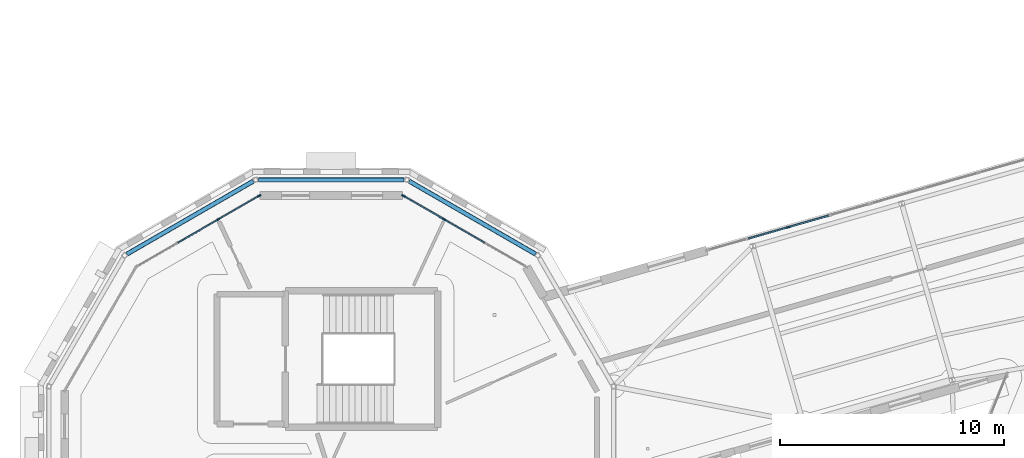
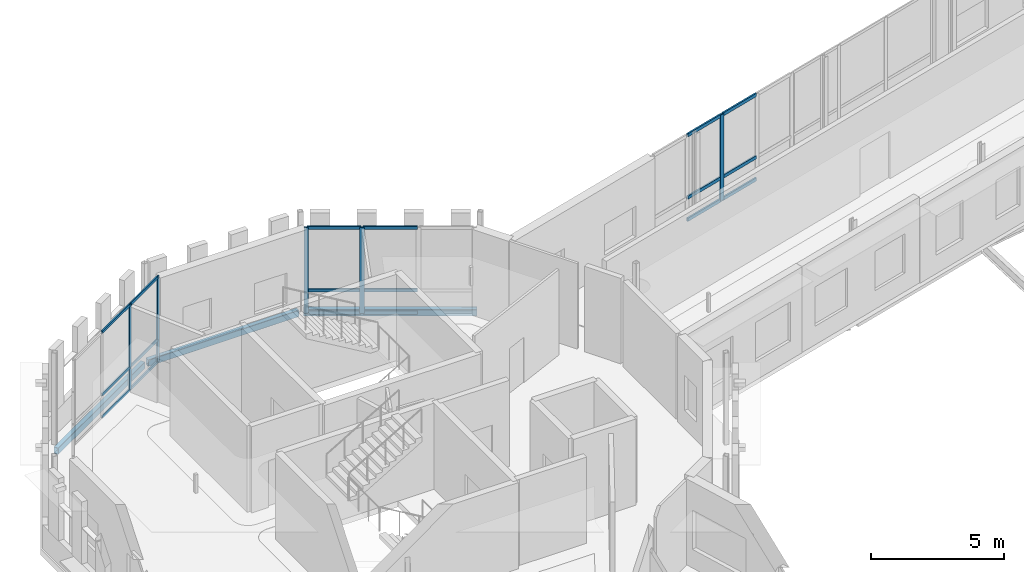
# One storey, part 45 of 125: 23 members, 3 beams, 3 elements without a shape of their own.
"""IFC4 building model written with IfcOpenShell, lengths in metres."""

from ifc_helpers import new_model, si_unit, direction, frame, origin, origin_2d, place, context, subcontext, project, spatial, rectangle, hollow_rectangle, extrude, material, material_profile, profile_set, type_object, element, aggregate, save


model = new_model("IFC4")

# Units and contexts
model_context = context("Model", 3, precision=1e-05, world=origin(), true_north=direction((0.0, 1.0)))
body_context = subcontext(model_context, "Body", "Model", "MODEL_VIEW")
ifc_project = project(units=[si_unit("LENGTHUNIT", "METRE"), si_unit("AREAUNIT", "SQUARE_METRE"), si_unit("VOLUMEUNIT", "CUBIC_METRE"), si_unit("PLANEANGLEUNIT", "RADIAN"), si_unit("MASSUNIT", "GRAM", prefix="KILO")], contexts=[model_context])

# Site, building, storey
site_placement = place(None, origin())
site = spatial("IfcSite", under=ifc_project, at=site_placement, CompositionType="ELEMENT")
building_placement = place(site_placement, origin())
building = spatial("IfcBuilding", under=site, at=building_placement, Name="Wrenclough Park School", CompositionType="ELEMENT")
storey_placement = place(building_placement, frame((0.0, 0.0, 4.199951171875)))
storey = spatial("IfcBuildingStorey", under=building, at=storey_placement, Name="L01", CompositionType="ELEMENT", Elevation=4.199951171875)

# Curtain wall, members
ifc_material_1 = material(Name="Thermally broken aluminium and low-e glass curtain wall", Category="aluminium")
curtain_wall_type_1 = type_object("IfcCurtainWallType", Name="ENV-CW-01", PredefinedType="USERDEFINED", material=ifc_material_1)
curtain_wall_1_placement = place(storey_placement, origin())
curtain_wall_1 = element("IfcCurtainWall", 1, at=curtain_wall_1_placement, inside=storey, type_object=curtain_wall_type_1, Name="L01 recessed curtain wall assembly 096", ObjectType="CURTAIN WALL", PredefinedType="USERDEFINED")
ifc_material_2 = material(Name="Thermally broken anodised aluminium", Category="aluminium")
ifc_material_profile_1 = material_profile(ifc_material_2, rectangle(XDim=0.06005859375, YDim=0.159912109375, at=origin_2d()), Name="AL MULLION 60x160")
ifc_profile_set_1 = profile_set([ifc_material_profile_1], Name="Thermally broken anodised aluminium")
member_type_1 = type_object("IfcMemberType", Name="ENV-CWM-1", PredefinedType="MULLION", material=ifc_profile_set_1)
member_1_placement = place(storey_placement, frame((11.466796875, 100.341796875, 0.0), z_axis=(0.0, 0.0, 1.0), x_axis=(-0.499999121909, 0.86602591075, 0.0)))
member_1 = element("IfcMember", 2, at=member_1_placement, type_object=member_type_1, Name="CW-01 mullion 3", PredefinedType="MULLION", context=body_context, shape_type="SweptSolid", body=[
    extrude(rectangle(XDim=0.06005859375, YDim=0.159912109375, at=origin_2d()), origin(), (0.0, 0.0, 1.0), 3.93994140625),
])
member_2_placement = place(storey_placement, frame((13.2802734375, 101.388916015625, 0.0), z_axis=(0.0, 0.0, 1.0), x_axis=(-0.499999121909, 0.86602591075, 0.0)))
member_2 = element("IfcMember", 3, at=member_2_placement, type_object=member_type_1, Name="CW-01 mullion 4", PredefinedType="MULLION", context=body_context, shape_type="SweptSolid", body=[
    extrude(rectangle(XDim=0.06005859375, YDim=0.159912109375, at=origin_2d()), origin(), (0.0, 0.0, 1.0), 3.93994140625),
])

curtain_wall_type_2 = type_object("IfcCurtainWallType", Name="ENV-CW-02", PredefinedType="USERDEFINED", material=ifc_material_1)
curtain_wall_2_placement = place(storey_placement, origin())
curtain_wall_2 = element("IfcCurtainWall", 4, at=curtain_wall_2_placement, inside=storey, type_object=curtain_wall_type_2, Name="L01 recessed curtain wall assembly 097", ObjectType="CURTAIN WALL", PredefinedType="USERDEFINED")
ifc_material_profile_2 = material_profile(ifc_material_2, rectangle(XDim=0.06494140625, YDim=0.179931640625, at=origin_2d()), Name="AL MULLION 65x180")
ifc_profile_set_2 = profile_set([ifc_material_profile_2], Name="Thermally broken anodised aluminium")
member_type_2 = type_object("IfcMemberType", Name="ENV-CWM-2", PredefinedType="MULLION", material=ifc_profile_set_2)
member_3_placement = place(storey_placement, frame((19.721923828125, 101.387451171875, 0.0), z_axis=(0.0, 0.0, 1.0), x_axis=(0.499999121909, 0.86602591075, 0.0)))
member_3 = element("IfcMember", 5, at=member_3_placement, type_object=member_type_2, Name="CW-02 mullion 1", PredefinedType="MULLION", context=body_context, shape_type="SweptSolid", body=[
    extrude(rectangle(XDim=0.06494140625, YDim=0.179931640625, at=origin_2d()), origin(), (0.0, 0.0, 1.0), 3.93994140625),
])
member_4_placement = place(storey_placement, frame((21.533203125, 100.341796875, 0.0), z_axis=(0.0, 0.0, 1.0), x_axis=(0.499999121909, 0.86602591075, 0.0)))
member_4 = element("IfcMember", 6, at=member_4_placement, type_object=member_type_2, Name="CW-02 mullion 2", PredefinedType="MULLION", context=body_context, shape_type="SweptSolid", body=[
    extrude(rectangle(XDim=0.06494140625, YDim=0.179931640625, at=origin_2d()), origin(), (0.0, 0.0, 1.0), 3.93994140625),
])

# Curtain wall, member
curtain_wall_type_3 = type_object("IfcCurtainWallType", Name="ENV-CW-03", PredefinedType="USERDEFINED", material=ifc_material_1)
curtain_wall_3_placement = place(storey_placement, origin())
curtain_wall_3 = element("IfcCurtainWall", 7, at=curtain_wall_3_placement, inside=storey, type_object=curtain_wall_type_3, Name="L01 recessed curtain wall assembly 098", ObjectType="CURTAIN WALL", PredefinedType="USERDEFINED")
ifc_material_profile_3 = material_profile(ifc_material_2, rectangle(XDim=0.070068359375, YDim=0.199951171875, at=origin_2d()), Name="AL MULLION 70x200")
ifc_profile_set_3 = profile_set([ifc_material_profile_3], Name="Thermally broken anodised aluminium")
member_type_3 = type_object("IfcMemberType", Name="ENV-CWM-3", PredefinedType="MULLION", material=ifc_profile_set_3)
member_5_placement = place(storey_placement, frame((36.917236328125, 99.99267578125, 0.0), z_axis=(0.0, 0.0, 1.0), x_axis=(-0.274726364021, 0.96152245159, 0.0)))
member_5 = element("IfcMember", 8, at=member_5_placement, type_object=member_type_3, Name="CW-03 mullion 3", PredefinedType="MULLION", context=body_context, shape_type="SweptSolid", body=[
    extrude(rectangle(XDim=0.070068359375, YDim=0.199951171875, at=origin_2d()), origin(), (0.0, 0.0, 1.0), 3.93994140625),
])

# Member
ifc_material_profile_4 = material_profile(ifc_material_2, rectangle(XDim=0.06005859375, YDim=0.1201171875, at=origin_2d()), Name="AL TRANSOM 60x120")
ifc_profile_set_4 = profile_set([ifc_material_profile_4], Name="Thermally broken anodised aluminium")
member_type_4 = type_object("IfcMemberType", Name="ENV-CWT-1", PredefinedType="USERDEFINED", material=ifc_profile_set_4)
member_6_placement = place(storey_placement, frame((9.6533203125, 99.294677734375, 0.030029296875), z_axis=(0.86604377311, 0.499968182045, 0.0), x_axis=(-0.499968182045, 0.86604377311, 0.0)))
member_6 = element("IfcMember", 9, at=member_6_placement, type_object=member_type_4, Name="CW-01 transom 2.1", ObjectType="TRANSOM", PredefinedType="USERDEFINED", context=body_context, shape_type="SweptSolid", body=[
    extrude(rectangle(XDim=0.06005859375, YDim=0.1201171875, at=origin_2d()), origin(), (0.0, 0.0, 1.0), 2.064208984375),
])

member_7_placement = place(storey_placement, frame((9.6533203125, 99.294677734375, 1.050048828125), z_axis=(0.86604377311, 0.499968182045, 0.0), x_axis=(-0.499968182045, 0.86604377311, 0.0)))
member_7 = element("IfcMember", 10, at=member_7_placement, type_object=member_type_4, Name="CW-01 transom 2.2", ObjectType="TRANSOM", PredefinedType="USERDEFINED", context=body_context, shape_type="SweptSolid", body=[
    extrude(rectangle(XDim=0.06005859375, YDim=0.1201171875, at=origin_2d()), origin(), (0.0, 0.0, 1.0), 2.064208984375),
])

member_8_placement = place(storey_placement, frame((9.6533203125, 99.294677734375, 3.91015625), z_axis=(0.86604377311, 0.499968182045, 0.0), x_axis=(-0.499968182045, 0.86604377311, 0.0)))
member_8 = element("IfcMember", 11, at=member_8_placement, type_object=member_type_4, Name="CW-01 transom 2.3", ObjectType="TRANSOM", PredefinedType="USERDEFINED", context=body_context, shape_type="SweptSolid", body=[
    extrude(rectangle(XDim=0.06005859375, YDim=0.1201171875, at=origin_2d()), origin(), (0.0, 0.0, 1.0), 2.064208984375),
])

member_9_placement = place(storey_placement, frame((11.49267578125, 100.356689453125, 0.030029296875), z_axis=(0.866033694824, 0.499985639223, 0.0), x_axis=(-0.499985639223, 0.866033694824, 0.0)))
member_9 = element("IfcMember", 12, at=member_9_placement, type_object=member_type_4, Name="CW-01 transom 3.1", ObjectType="TRANSOM", PredefinedType="USERDEFINED", context=body_context, shape_type="SweptSolid", body=[
    extrude(rectangle(XDim=0.06005859375, YDim=0.1201171875, at=origin_2d()), origin(), (0.0, 0.0, 1.0), 2.0341796875),
])

member_10_placement = place(storey_placement, frame((11.49267578125, 100.356689453125, 1.050048828125), z_axis=(0.866033694824, 0.499985639223, 0.0), x_axis=(-0.499985639223, 0.866033694824, 0.0)))
member_10 = element("IfcMember", 13, at=member_10_placement, type_object=member_type_4, Name="CW-01 transom 3.2", ObjectType="TRANSOM", PredefinedType="USERDEFINED", context=body_context, shape_type="SweptSolid", body=[
    extrude(rectangle(XDim=0.06005859375, YDim=0.1201171875, at=origin_2d()), origin(), (0.0, 0.0, 1.0), 2.0341796875),
])

member_11_placement = place(storey_placement, frame((11.49267578125, 100.356689453125, 3.91015625), z_axis=(0.866033694824, 0.499985639223, 0.0), x_axis=(-0.499985639223, 0.866033694824, 0.0)))
member_11 = element("IfcMember", 14, at=member_11_placement, type_object=member_type_4, Name="CW-01 transom 3.3", ObjectType="TRANSOM", PredefinedType="USERDEFINED", context=body_context, shape_type="SweptSolid", body=[
    extrude(rectangle(XDim=0.06005859375, YDim=0.1201171875, at=origin_2d()), origin(), (0.0, 0.0, 1.0), 2.0341796875),
])

aggregate(curtain_wall_1, [member_1, member_2, member_6, member_7, member_8, member_9, member_10, member_11])

ifc_material_profile_5 = material_profile(ifc_material_2, rectangle(XDim=0.06494140625, YDim=0.139892578125, at=origin_2d()), Name="AL TRANSOM 65x140")
ifc_profile_set_5 = profile_set([ifc_material_profile_5], Name="Thermally broken anodised aluminium")
member_type_5 = type_object("IfcMemberType", Name="ENV-CWT-2", PredefinedType="USERDEFINED", material=ifc_profile_set_5)
member_12_placement = place(storey_placement, frame((19.75, 101.371337890625, 0.032470703125), z_axis=(0.866003030001, -0.500038750527, 0.0), x_axis=(0.500038750527, 0.866003030001, 0.0)))
member_12 = element("IfcMember", 15, at=member_12_placement, type_object=member_type_5, Name="CW-02 transom 1.1", ObjectType="TRANSOM", PredefinedType="USERDEFINED", context=body_context, shape_type="SweptSolid", body=[
    extrude(rectangle(XDim=0.06494140625, YDim=0.139892578125, at=origin_2d()), origin(), (0.0, 0.0, 1.0), 2.026611328125),
])

member_13_placement = place(storey_placement, frame((19.75, 101.371337890625, 1.050048828125), z_axis=(0.866003030001, -0.500038750527, 0.0), x_axis=(0.500038750527, 0.866003030001, 0.0)))
member_13 = element("IfcMember", 16, at=member_13_placement, type_object=member_type_5, Name="CW-02 transom 1.2", ObjectType="TRANSOM", PredefinedType="USERDEFINED", context=body_context, shape_type="SweptSolid", body=[
    extrude(rectangle(XDim=0.06494140625, YDim=0.139892578125, at=origin_2d()), origin(), (0.0, 0.0, 1.0), 2.026611328125),
])

member_14_placement = place(storey_placement, frame((19.75, 101.371337890625, 3.907470703125), z_axis=(0.866003030001, -0.500038750527, 0.0), x_axis=(0.500038750527, 0.866003030001, 0.0)))
member_14 = element("IfcMember", 17, at=member_14_placement, type_object=member_type_5, Name="CW-02 transom 1.3", ObjectType="TRANSOM", PredefinedType="USERDEFINED", context=body_context, shape_type="SweptSolid", body=[
    extrude(rectangle(XDim=0.06494140625, YDim=0.139892578125, at=origin_2d()), origin(), (0.0, 0.0, 1.0), 2.026611328125),
])

member_15_placement = place(storey_placement, frame((21.561279296875, 100.325439453125, 0.032470703125), z_axis=(0.866023676963, -0.50000299093, 0.0), x_axis=(0.50000299093, 0.866023676963, 0.0)))
member_15 = element("IfcMember", 18, at=member_15_placement, type_object=member_type_5, Name="CW-02 transom 2.1", ObjectType="TRANSOM", PredefinedType="USERDEFINED", context=body_context, shape_type="SweptSolid", body=[
    extrude(rectangle(XDim=0.06494140625, YDim=0.139892578125, at=origin_2d()), origin(), (0.0, 0.0, 1.0), 2.05908203125),
])

member_16_placement = place(storey_placement, frame((21.561279296875, 100.325439453125, 1.050048828125), z_axis=(0.866023676963, -0.50000299093, 0.0), x_axis=(0.50000299093, 0.866023676963, 0.0)))
member_16 = element("IfcMember", 19, at=member_16_placement, type_object=member_type_5, Name="CW-02 transom 2.2", ObjectType="TRANSOM", PredefinedType="USERDEFINED", context=body_context, shape_type="SweptSolid", body=[
    extrude(rectangle(XDim=0.06494140625, YDim=0.139892578125, at=origin_2d()), origin(), (0.0, 0.0, 1.0), 2.05908203125),
])

member_17_placement = place(storey_placement, frame((21.561279296875, 100.325439453125, 3.907470703125), z_axis=(0.866023676963, -0.50000299093, 0.0), x_axis=(0.50000299093, 0.866023676963, 0.0)))
member_17 = element("IfcMember", 20, at=member_17_placement, type_object=member_type_5, Name="CW-02 transom 2.3", ObjectType="TRANSOM", PredefinedType="USERDEFINED", context=body_context, shape_type="SweptSolid", body=[
    extrude(rectangle(XDim=0.06494140625, YDim=0.139892578125, at=origin_2d()), origin(), (0.0, 0.0, 1.0), 2.05908203125),
])

aggregate(curtain_wall_2, [member_3, member_4, member_12, member_13, member_14, member_15, member_16, member_17])

ifc_material_profile_6 = material_profile(ifc_material_2, rectangle(XDim=0.070068359375, YDim=0.14990234375, at=origin_2d()), Name="AL TRANSOM 70x150")
ifc_profile_set_6 = profile_set([ifc_material_profile_6], Name="Thermally broken anodised aluminium")
member_type_6 = type_object("IfcMemberType", Name="ENV-CWT-3", PredefinedType="USERDEFINED", material=ifc_profile_set_6)
member_18_placement = place(storey_placement, frame((35.1318359375, 99.482666015625, 0.03515625), z_axis=(0.961523947641, 0.274721127897, 0.0), x_axis=(-0.274721127897, 0.961523947641, 0.0)))
member_18 = element("IfcMember", 21, at=member_18_placement, type_object=member_type_6, Name="CW-03 transom 2.1", ObjectType="TRANSOM", PredefinedType="USERDEFINED", context=body_context, shape_type="SweptSolid", body=[
    extrude(rectangle(XDim=0.070068359375, YDim=0.14990234375, at=origin_2d()), origin(), (0.0, 0.0, 1.0), 1.82177734375),
])

member_19_placement = place(storey_placement, frame((35.1318359375, 99.482666015625, 1.050048828125), z_axis=(0.961523947641, 0.274721127897, 0.0), x_axis=(-0.274721127897, 0.961523947641, 0.0)))
member_19 = element("IfcMember", 22, at=member_19_placement, type_object=member_type_6, Name="CW-03 transom 2.2", ObjectType="TRANSOM", PredefinedType="USERDEFINED", context=body_context, shape_type="SweptSolid", body=[
    extrude(rectangle(XDim=0.070068359375, YDim=0.14990234375, at=origin_2d()), origin(), (0.0, 0.0, 1.0), 1.82177734375),
])

member_20_placement = place(storey_placement, frame((35.1318359375, 99.482666015625, 3.905029296875), z_axis=(0.961523947641, 0.274721127897, 0.0), x_axis=(-0.274721127897, 0.961523947641, 0.0)))
member_20 = element("IfcMember", 23, at=member_20_placement, type_object=member_type_6, Name="CW-03 transom 2.3", ObjectType="TRANSOM", PredefinedType="USERDEFINED", context=body_context, shape_type="SweptSolid", body=[
    extrude(rectangle(XDim=0.070068359375, YDim=0.14990234375, at=origin_2d()), origin(), (0.0, 0.0, 1.0), 1.82177734375),
])

member_21_placement = place(storey_placement, frame((36.950927734375, 100.00244140625, 0.03515625), z_axis=(0.961523947641, 0.274721127897, 0.0), x_axis=(-0.274721127897, 0.961523947641, 0.0)))
member_21 = element("IfcMember", 24, at=member_21_placement, type_object=member_type_6, Name="CW-03 transom 3.1", ObjectType="TRANSOM", PredefinedType="USERDEFINED", context=body_context, shape_type="SweptSolid", body=[
    extrude(rectangle(XDim=0.070068359375, YDim=0.14990234375, at=origin_2d()), origin(), (0.0, 0.0, 1.0), 1.82177734375),
])

member_22_placement = place(storey_placement, frame((36.950927734375, 100.00244140625, 1.050048828125), z_axis=(0.961523947641, 0.274721127897, 0.0), x_axis=(-0.274721127897, 0.961523947641, 0.0)))
member_22 = element("IfcMember", 25, at=member_22_placement, type_object=member_type_6, Name="CW-03 transom 3.2", ObjectType="TRANSOM", PredefinedType="USERDEFINED", context=body_context, shape_type="SweptSolid", body=[
    extrude(rectangle(XDim=0.070068359375, YDim=0.14990234375, at=origin_2d()), origin(), (0.0, 0.0, 1.0), 1.82177734375),
])

member_23_placement = place(storey_placement, frame((36.950927734375, 100.00244140625, 3.905029296875), z_axis=(0.961523947641, 0.274721127897, 0.0), x_axis=(-0.274721127897, 0.961523947641, 0.0)))
member_23 = element("IfcMember", 26, at=member_23_placement, type_object=member_type_6, Name="CW-03 transom 3.3", ObjectType="TRANSOM", PredefinedType="USERDEFINED", context=body_context, shape_type="SweptSolid", body=[
    extrude(rectangle(XDim=0.070068359375, YDim=0.14990234375, at=origin_2d()), origin(), (0.0, 0.0, 1.0), 1.82177734375),
])

aggregate(curtain_wall_3, [member_5, member_18, member_19, member_20, member_21, member_22, member_23])

# Beams
ifc_material_3 = material(Name="Structural steel S355", Category="steel")
ifc_material_profile_7 = material_profile(ifc_material_3, hollow_rectangle(XDim=0.199951171875, YDim=0.300048828125, WallThickness=0.012451171875, InnerFilletRadius=0.012451171875, OuterFilletRadius=0.018798828125, at=origin_2d()), Name="RHS 300x200x12.5")
ifc_profile_set_7 = profile_set([ifc_material_profile_7], Name="Structural steel S355")
beam_type = type_object("IfcBeamType", Name="STR-BM-RHS300", PredefinedType="SPANDREL", material=ifc_profile_set_7)
beam_1_placement = place(storey_placement, frame((25.623779296875, 98.78759765625, -0.4150390625), z_axis=(-0.866011482887, 0.500024110927, 0.0), x_axis=(-0.500024110927, -0.866011482887, 0.0)))
element("IfcBeam", 27, at=beam_1_placement, inside=storey, type_object=beam_type, Name="D3 L01 outer ring spandrel beam 2", PredefinedType="SPANDREL", context=body_context, shape_type="SweptSolid", body=[
    extrude(hollow_rectangle(XDim=0.199951171875, YDim=0.300048828125, WallThickness=0.012451171875, InnerFilletRadius=0.012451171875, OuterFilletRadius=0.018798828125, at=origin_2d()), origin(), (0.0, 0.0, 1.0), 6.515380859375),
])
beam_2_placement = place(storey_placement, frame((19.757568359375, 102.105224609375, -0.4150390625), z_axis=(-1.0, 0.0, 0.0), x_axis=(0.0, -1.0, 0.0)))
element("IfcBeam", 28, at=beam_2_placement, inside=storey, type_object=beam_type, Name="D3 L01 outer ring spandrel beam 3", PredefinedType="SPANDREL", context=body_context, shape_type="SweptSolid", body=[
    extrude(hollow_rectangle(XDim=0.199951171875, YDim=0.300048828125, WallThickness=0.012451171875, InnerFilletRadius=0.012451171875, OuterFilletRadius=0.018798828125, at=origin_2d()), origin(), (0.0, 0.0, 1.0), 6.51513671875),
])
beam_3_placement = place(storey_placement, frame((13.0185546875, 102.04541015625, -0.4150390625), z_axis=(-0.866011482887, -0.500024110927, 0.0), x_axis=(0.500024110927, -0.866011482887, 0.0)))
element("IfcBeam", 29, at=beam_3_placement, inside=storey, type_object=beam_type, Name="D3 L01 outer ring spandrel beam 4", PredefinedType="SPANDREL", context=body_context, shape_type="SweptSolid", body=[
    extrude(hollow_rectangle(XDim=0.199951171875, YDim=0.300048828125, WallThickness=0.012451171875, InnerFilletRadius=0.012451171875, OuterFilletRadius=0.018798828125, at=origin_2d()), origin(), (0.0, 0.0, 1.0), 6.515380859375),
])

save(model, "model.ifc")
